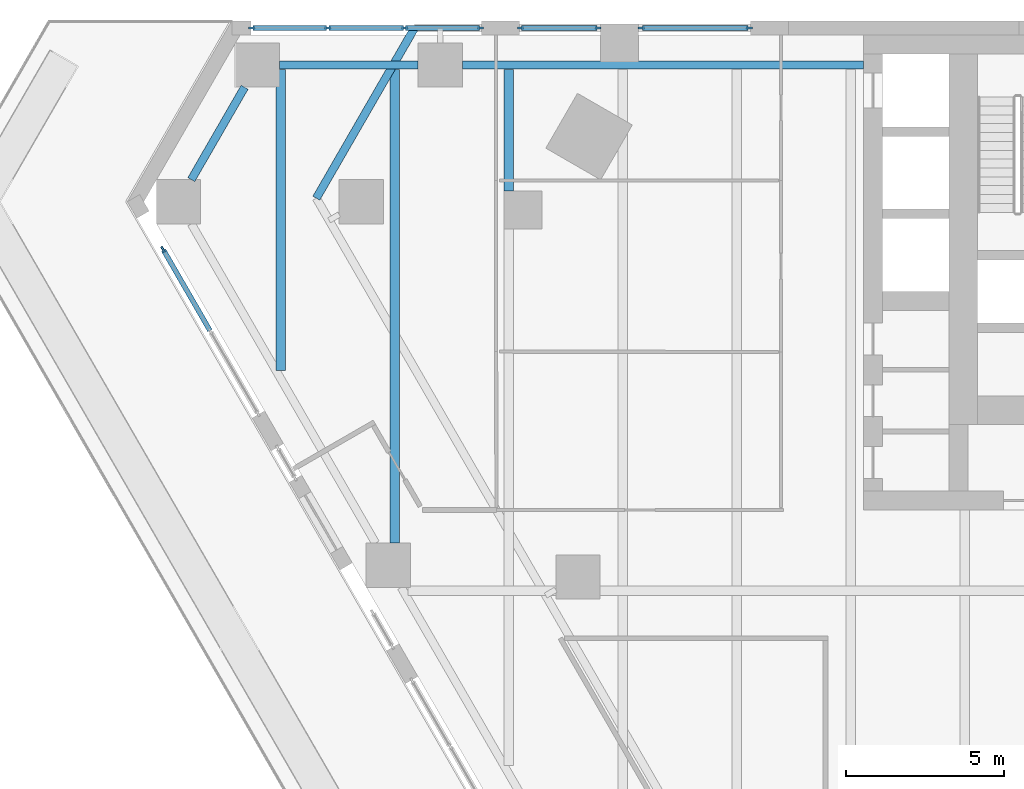
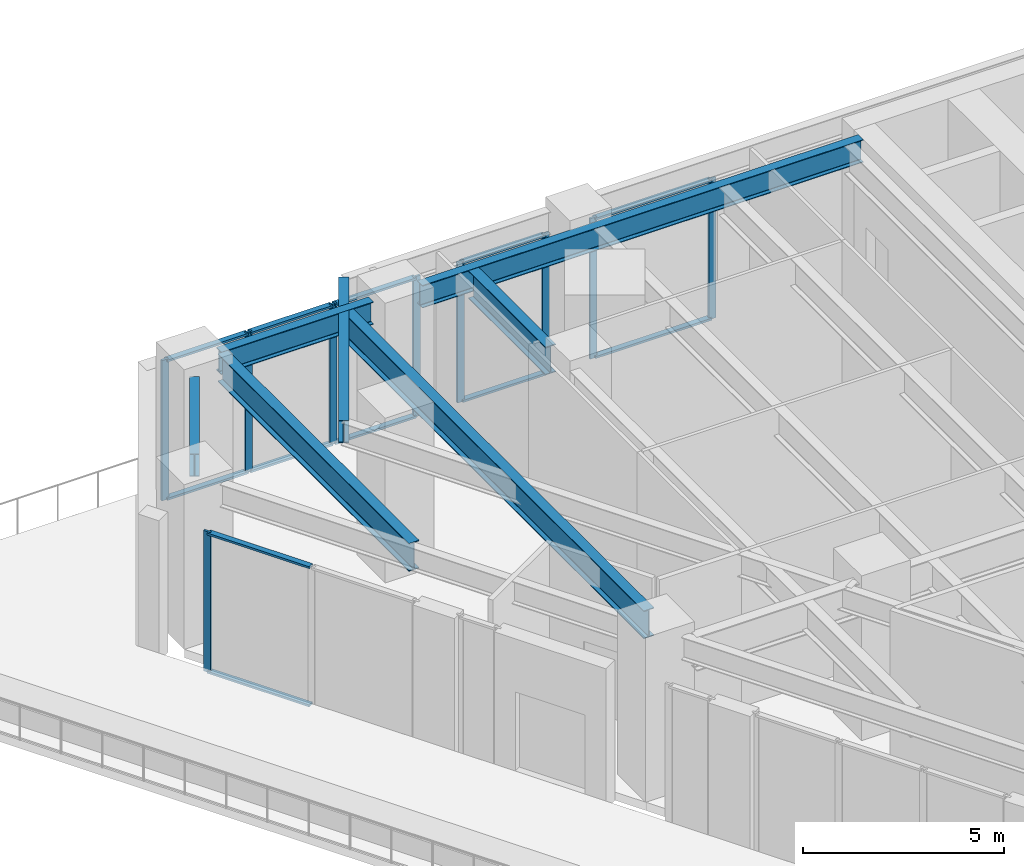
# One storey, part 12 of 31: 21 members, 7 beams, 4 elements without a shape of their own.
"""IFC4 building model written with IfcOpenShell, lengths in metres."""

from ifc_helpers import new_model, si_unit, direction, frame, origin, origin_2d, place, context, subcontext, project, spatial, rectangle, i_section, extrude, material, material_profile, profile_set, type_object, element, aggregate, save


model = new_model("IFC4")

# Units and contexts
model_context = context("Model", 3, precision=1e-05, world=origin(), true_north=direction((0.0, 1.0)))
body_context = subcontext(model_context, "Body", "Model", "MODEL_VIEW")
ifc_project = project(units=[si_unit("LENGTHUNIT", "METRE"), si_unit("AREAUNIT", "SQUARE_METRE"), si_unit("VOLUMEUNIT", "CUBIC_METRE"), si_unit("PLANEANGLEUNIT", "RADIAN"), si_unit("MASSUNIT", "GRAM", prefix="KILO")], contexts=[model_context])

# Site, building, storey
site_placement = place(None, origin())
site = spatial("IfcSite", under=ifc_project, at=site_placement, CompositionType="ELEMENT")
building_placement = place(site_placement, origin())
building = spatial("IfcBuilding", under=site, at=building_placement, Name="Aloe Facet Convention Tower", CompositionType="ELEMENT")
storey_placement = place(building_placement, frame((0.0, 0.0, 25.0)))
storey = spatial("IfcBuildingStorey", under=building, at=storey_placement, Name="L04", CompositionType="ELEMENT", Elevation=25.0)

# Beam
ifc_material_1 = material(Name="Steel S355", Category="steel")
ifc_material_profile_1 = material_profile(ifc_material_1, i_section(OverallWidth=0.25439453125, OverallDepth=0.6875, WebThickness=0.01318359375, FlangeThickness=0.02099609375, FilletRadius=0.01513671875, at=origin_2d()), Name="UB 686x254x152")
ifc_profile_set_1 = profile_set([ifc_material_profile_1], Name="Steel S355")
beam_type_1 = type_object("IfcBeamType", Name="EV-EB-UB686x254x152", PredefinedType="BEAM", material=ifc_profile_set_1)
beam_1_placement = place(storey_placement, frame((51.826416015625, 134.77490234375, 4.356201171875), z_axis=(-0.499986758824, -0.866033048446, 0.0), x_axis=(0.866033048446, -0.499986758824, 0.0)))
element("IfcBeam", 1, at=beam_1_placement, inside=storey, type_object=beam_type_1, Name="EB-L05-A", PredefinedType="BEAM", context=body_context, shape_type="SweptSolid", body=[
    extrude(i_section(OverallWidth=0.25439453125, OverallDepth=0.6875, WebThickness=0.01318359375, FlangeThickness=0.02099609375, FilletRadius=0.01513671875, at=origin_2d()), origin(), (0.0, 0.0, 1.0), 6.210205078125),
])

# Curtain wall, members
ifc_material_2 = material(Name="Aluminium, anodised", Category="aluminium")
curtain_wall_type = type_object("IfcCurtainWallType", Name="EV-CW-HALL", PredefinedType="USERDEFINED", material=ifc_material_2)
curtain_wall_1_placement = place(storey_placement, origin())
curtain_wall_1 = element("IfcCurtainWall", 2, at=curtain_wall_1_placement, inside=storey, type_object=curtain_wall_type, Name="CW-L04-N14-1", ObjectType="UNITISED HALL GLAZING", PredefinedType="USERDEFINED")
ifc_material_3 = material(Name="Aluminium, anodised", Category="aluminium")
ifc_material_profile_2 = material_profile(ifc_material_3, rectangle(XDim=0.06494140625, YDim=0.199951171875, at=origin_2d()), Name="AL 65x200")
ifc_profile_set_2 = profile_set([ifc_material_profile_2], Name="Aluminium, anodised")
member_type_1 = type_object("IfcMemberType", Name="EV-MULL-HALL", PredefinedType="MULLION", material=ifc_profile_set_2)
member_1_placement = place(storey_placement, frame((62.39404296875, 134.77490234375, -0.25), z_axis=(0.0, 0.0, 1.0), x_axis=(0.0, -1.0, 0.0)))
member_1 = element("IfcMember", 3, at=member_1_placement, type_object=member_type_1, Name="CW-L04-N14-1 mullion 1", PredefinedType="MULLION", context=body_context, shape_type="SweptSolid", body=[
    extrude(rectangle(XDim=0.06494140625, YDim=0.199951171875, at=origin_2d()), origin(), (0.0, 0.0, 1.0), 4.262451171875),
])
member_2_placement = place(storey_placement, frame((58.982421875, 134.77490234375, -0.25), z_axis=(0.0, 0.0, 1.0), x_axis=(0.0, -1.0, 0.0)))
member_2 = element("IfcMember", 4, at=member_2_placement, type_object=member_type_1, Name="CW-L04-N14-1 mullion 2", PredefinedType="MULLION", context=body_context, shape_type="SweptSolid", body=[
    extrude(rectangle(XDim=0.06494140625, YDim=0.199951171875, at=origin_2d()), origin(), (0.0, 0.0, 1.0), 4.262451171875),
])

curtain_wall_2_placement = place(storey_placement, origin())
curtain_wall_2 = element("IfcCurtainWall", 5, at=curtain_wall_2_placement, inside=storey, type_object=curtain_wall_type, Name="CW-L04-N14-2", ObjectType="UNITISED HALL GLAZING", PredefinedType="USERDEFINED")
member_3_placement = place(storey_placement, frame((57.617431640625, 134.77490234375, -0.25), z_axis=(0.0, 0.0, 1.0), x_axis=(0.0, -1.0, 0.0)))
member_3 = element("IfcMember", 6, at=member_3_placement, type_object=member_type_1, Name="CW-L04-N14-2 mullion 1", PredefinedType="MULLION", context=body_context, shape_type="SweptSolid", body=[
    extrude(rectangle(XDim=0.06494140625, YDim=0.199951171875, at=origin_2d()), origin(), (0.0, 0.0, 1.0), 4.262451171875),
])
member_4_placement = place(storey_placement, frame((55.17236328125, 134.77490234375, -0.25), z_axis=(0.0, 0.0, 1.0), x_axis=(0.0, -1.0, 0.0)))
member_4 = element("IfcMember", 7, at=member_4_placement, type_object=member_type_1, Name="CW-L04-N14-2 mullion 2", PredefinedType="MULLION", context=body_context, shape_type="SweptSolid", body=[
    extrude(rectangle(XDim=0.06494140625, YDim=0.199951171875, at=origin_2d()), origin(), (0.0, 0.0, 1.0), 4.262451171875),
])

curtain_wall_3_placement = place(storey_placement, origin())
curtain_wall_3 = element("IfcCurtainWall", 8, at=curtain_wall_3_placement, inside=storey, type_object=curtain_wall_type, Name="CW-L04-N16", ObjectType="UNITISED HALL GLAZING", PredefinedType="USERDEFINED")
member_5_placement = place(storey_placement, frame((53.9072265625, 134.77490234375, -0.25), z_axis=(0.0, 0.0, 1.0), x_axis=(0.0, -1.0, 0.0)))
member_5 = element("IfcMember", 9, at=member_5_placement, type_object=member_type_1, Name="CW-L04-N16 mullion 1", PredefinedType="MULLION", context=body_context, shape_type="SweptSolid", body=[
    extrude(rectangle(XDim=0.06494140625, YDim=0.199951171875, at=origin_2d()), origin(), (0.0, 0.0, 1.0), 4.262451171875),
])
member_6_placement = place(storey_placement, frame((51.5107421875, 134.77490234375, -0.25), z_axis=(0.0, 0.0, 1.0), x_axis=(0.0, -1.0, 0.0)))
member_6 = element("IfcMember", 10, at=member_6_placement, type_object=member_type_1, Name="CW-L04-N16 mullion 2", PredefinedType="MULLION", context=body_context, shape_type="SweptSolid", body=[
    extrude(rectangle(XDim=0.06494140625, YDim=0.199951171875, at=origin_2d()), origin(), (0.0, 0.0, 1.0), 4.262451171875),
])
member_7_placement = place(storey_placement, frame((49.08203125, 134.77490234375, -0.25), z_axis=(0.0, 0.0, 1.0), x_axis=(0.0, -1.0, 0.0)))
member_7 = element("IfcMember", 11, at=member_7_placement, type_object=member_type_1, Name="CW-L04-N16 mullion 3", PredefinedType="MULLION", context=body_context, shape_type="SweptSolid", body=[
    extrude(rectangle(XDim=0.06494140625, YDim=0.199951171875, at=origin_2d()), origin(), (0.0, 0.0, 1.0), 4.262451171875),
])
member_8_placement = place(storey_placement, frame((46.685546875, 134.77490234375, -0.25), z_axis=(0.0, 0.0, 1.0), x_axis=(0.0, -1.0, 0.0)))
member_8 = element("IfcMember", 12, at=member_8_placement, type_object=member_type_1, Name="CW-L04-N16 mullion 4", PredefinedType="MULLION", context=body_context, shape_type="SweptSolid", body=[
    extrude(rectangle(XDim=0.06494140625, YDim=0.199951171875, at=origin_2d()), origin(), (0.0, 0.0, 1.0), 4.262451171875),
])

# Curtain wall, member
curtain_wall_4_placement = place(storey_placement, origin())
curtain_wall_4 = element("IfcCurtainWall", 13, at=curtain_wall_4_placement, inside=storey, type_object=curtain_wall_type, Name="CW-L04-W02", ObjectType="UNITISED HALL GLAZING", PredefinedType="USERDEFINED")
member_9_placement = place(storey_placement, frame((43.880615234375, 127.781005859375, -0.25), z_axis=(0.0, 0.0, 1.0), x_axis=(0.866025403758, 0.500000000045, 0.0)))
member_9 = element("IfcMember", 14, at=member_9_placement, type_object=member_type_1, Name="CW-L04-W02 mullion 1", PredefinedType="MULLION", context=body_context, shape_type="SweptSolid", body=[
    extrude(rectangle(XDim=0.06494140625, YDim=0.199951171875, at=origin_2d()), origin(), (0.0, 0.0, 1.0), 4.262451171875),
])

# Member
ifc_material_4 = material(Name="Aluminium, anodised", Category="aluminium")
ifc_material_profile_3 = material_profile(ifc_material_4, rectangle(XDim=0.159912109375, YDim=0.06494140625, at=origin_2d()), Name="AL 160x65")
ifc_profile_set_3 = profile_set([ifc_material_profile_3], Name="Aluminium, anodised")
member_type_2 = type_object("IfcMemberType", Name="EV-TRAN-HALL", PredefinedType="USERDEFINED", material=ifc_profile_set_3)
member_10_placement = place(storey_placement, frame((62.361572265625, 134.77490234375, -0.217529296875), z_axis=(-1.0, 0.0, 0.0), x_axis=(0.0, -1.0, 0.0)))
member_10 = element("IfcMember", 15, at=member_10_placement, type_object=member_type_2, Name="CW-L04-N14-1 transom 1.1", ObjectType="TRANSOM", PredefinedType="USERDEFINED", context=body_context, shape_type="SweptSolid", body=[
    extrude(rectangle(XDim=0.159912109375, YDim=0.06494140625, at=origin_2d()), origin(), (0.0, 0.0, 1.0), 3.3466796875),
])

member_11_placement = place(storey_placement, frame((62.361572265625, 134.77490234375, 3.97998046875), z_axis=(-1.0, 0.0, 0.0), x_axis=(0.0, -1.0, 0.0)))
member_11 = element("IfcMember", 16, at=member_11_placement, type_object=member_type_2, Name="CW-L04-N14-1 transom 1.2", ObjectType="TRANSOM", PredefinedType="USERDEFINED", context=body_context, shape_type="SweptSolid", body=[
    extrude(rectangle(XDim=0.159912109375, YDim=0.06494140625, at=origin_2d()), origin(), (0.0, 0.0, 1.0), 3.3466796875),
])

aggregate(curtain_wall_1, [member_1, member_2, member_10, member_11])

member_12_placement = place(storey_placement, frame((57.5849609375, 134.77490234375, -0.217529296875), z_axis=(-1.0, 0.0, 0.0), x_axis=(0.0, -1.0, 0.0)))
member_12 = element("IfcMember", 17, at=member_12_placement, type_object=member_type_2, Name="CW-L04-N14-2 transom 1.1", ObjectType="TRANSOM", PredefinedType="USERDEFINED", context=body_context, shape_type="SweptSolid", body=[
    extrude(rectangle(XDim=0.159912109375, YDim=0.06494140625, at=origin_2d()), origin(), (0.0, 0.0, 1.0), 2.380126953125),
])

member_13_placement = place(storey_placement, frame((57.5849609375, 134.77490234375, 3.97998046875), z_axis=(-1.0, 0.0, 0.0), x_axis=(0.0, -1.0, 0.0)))
member_13 = element("IfcMember", 18, at=member_13_placement, type_object=member_type_2, Name="CW-L04-N14-2 transom 1.2", ObjectType="TRANSOM", PredefinedType="USERDEFINED", context=body_context, shape_type="SweptSolid", body=[
    extrude(rectangle(XDim=0.159912109375, YDim=0.06494140625, at=origin_2d()), origin(), (0.0, 0.0, 1.0), 2.380126953125),
])

aggregate(curtain_wall_2, [member_3, member_4, member_12, member_13])

member_14_placement = place(storey_placement, frame((53.874755859375, 134.77490234375, -0.217529296875), z_axis=(-1.0, 0.0, 0.0), x_axis=(0.0, -1.0, 0.0)))
member_14 = element("IfcMember", 19, at=member_14_placement, type_object=member_type_2, Name="CW-L04-N16 transom 1.1", ObjectType="TRANSOM", PredefinedType="USERDEFINED", context=body_context, shape_type="SweptSolid", body=[
    extrude(rectangle(XDim=0.159912109375, YDim=0.06494140625, at=origin_2d()), origin(), (0.0, 0.0, 1.0), 2.33154296875),
])

member_15_placement = place(storey_placement, frame((53.874755859375, 134.77490234375, 3.97998046875), z_axis=(-1.0, 0.0, 0.0), x_axis=(0.0, -1.0, 0.0)))
member_15 = element("IfcMember", 20, at=member_15_placement, type_object=member_type_2, Name="CW-L04-N16 transom 1.2", ObjectType="TRANSOM", PredefinedType="USERDEFINED", context=body_context, shape_type="SweptSolid", body=[
    extrude(rectangle(XDim=0.159912109375, YDim=0.06494140625, at=origin_2d()), origin(), (0.0, 0.0, 1.0), 2.33154296875),
])

member_16_placement = place(storey_placement, frame((51.478271484375, 134.77490234375, -0.217529296875), z_axis=(-1.0, 0.0, 0.0), x_axis=(0.0, -1.0, 0.0)))
member_16 = element("IfcMember", 21, at=member_16_placement, type_object=member_type_2, Name="CW-L04-N16 transom 2.1", ObjectType="TRANSOM", PredefinedType="USERDEFINED", context=body_context, shape_type="SweptSolid", body=[
    extrude(rectangle(XDim=0.159912109375, YDim=0.06494140625, at=origin_2d()), origin(), (0.0, 0.0, 1.0), 2.36376953125),
])

member_17_placement = place(storey_placement, frame((51.478271484375, 134.77490234375, 3.97998046875), z_axis=(-1.0, 0.0, 0.0), x_axis=(0.0, -1.0, 0.0)))
member_17 = element("IfcMember", 22, at=member_17_placement, type_object=member_type_2, Name="CW-L04-N16 transom 2.2", ObjectType="TRANSOM", PredefinedType="USERDEFINED", context=body_context, shape_type="SweptSolid", body=[
    extrude(rectangle(XDim=0.159912109375, YDim=0.06494140625, at=origin_2d()), origin(), (0.0, 0.0, 1.0), 2.36376953125),
])

member_18_placement = place(storey_placement, frame((49.04931640625, 134.77490234375, -0.217529296875), z_axis=(-1.0, 0.0, 0.0), x_axis=(0.0, -1.0, 0.0)))
member_18 = element("IfcMember", 23, at=member_18_placement, type_object=member_type_2, Name="CW-L04-N16 transom 3.1", ObjectType="TRANSOM", PredefinedType="USERDEFINED", context=body_context, shape_type="SweptSolid", body=[
    extrude(rectangle(XDim=0.159912109375, YDim=0.06494140625, at=origin_2d()), origin(), (0.0, 0.0, 1.0), 2.331298828125),
])

member_19_placement = place(storey_placement, frame((49.04931640625, 134.77490234375, 3.97998046875), z_axis=(-1.0, 0.0, 0.0), x_axis=(0.0, -1.0, 0.0)))
member_19 = element("IfcMember", 24, at=member_19_placement, type_object=member_type_2, Name="CW-L04-N16 transom 3.2", ObjectType="TRANSOM", PredefinedType="USERDEFINED", context=body_context, shape_type="SweptSolid", body=[
    extrude(rectangle(XDim=0.159912109375, YDim=0.06494140625, at=origin_2d()), origin(), (0.0, 0.0, 1.0), 2.331298828125),
])

aggregate(curtain_wall_3, [member_5, member_6, member_7, member_8, member_14, member_15, member_16, member_17, member_18, member_19])

member_20_placement = place(storey_placement, frame((43.89697265625, 127.7529296875, -0.217529296875), z_axis=(0.49998458238, -0.866034304969, 0.0), x_axis=(0.866034304969, 0.49998458238, 0.0)))
member_20 = element("IfcMember", 25, at=member_20_placement, type_object=member_type_2, Name="CW-L04-W02 transom 1.1", ObjectType="TRANSOM", PredefinedType="USERDEFINED", context=body_context, shape_type="SweptSolid", body=[
    extrude(rectangle(XDim=0.159912109375, YDim=0.06494140625, at=origin_2d()), origin(), (0.0, 0.0, 1.0), 2.92919921875),
])

member_21_placement = place(storey_placement, frame((43.89697265625, 127.7529296875, 3.97998046875), z_axis=(0.49998458238, -0.866034304969, 0.0), x_axis=(0.866034304969, 0.49998458238, 0.0)))
member_21 = element("IfcMember", 26, at=member_21_placement, type_object=member_type_2, Name="CW-L04-W02 transom 1.2", ObjectType="TRANSOM", PredefinedType="USERDEFINED", context=body_context, shape_type="SweptSolid", body=[
    extrude(rectangle(XDim=0.159912109375, YDim=0.06494140625, at=origin_2d()), origin(), (0.0, 0.0, 1.0), 2.92919921875),
])

aggregate(curtain_wall_4, [member_9, member_20, member_21])

# Beams
ifc_material_5 = material(Name="Steel S355", Category="steel")
ifc_material_profile_4 = material_profile(ifc_material_5, i_section(OverallWidth=0.25439453125, OverallDepth=0.6875, WebThickness=0.01318359375, FlangeThickness=0.02099609375, FilletRadius=0.01513671875, at=origin_2d()), Name="UB 686x254x152")
ifc_profile_set_4 = profile_set([ifc_material_profile_4], Name="Steel S355")
beam_type_2 = type_object("IfcBeamType", Name="SF-B-UB686x254x152", PredefinedType="BEAM", material=ifc_profile_set_4)
beam_2_placement = place(storey_placement, frame((44.773681640625, 129.98388671875, 4.356201171875), z_axis=(0.499952599003, 0.866052769034, 0.0), x_axis=(-0.866052769034, 0.499952599003, 0.0)))
element("IfcBeam", 27, at=beam_2_placement, inside=storey, type_object=beam_type_2, Name="Floor beam FB-L05-001", PredefinedType="BEAM", context=body_context, shape_type="SweptSolid", body=[
    extrude(i_section(OverallWidth=0.25439453125, OverallDepth=0.6875, WebThickness=0.01318359375, FlangeThickness=0.02099609375, FilletRadius=0.01513671875, at=origin_2d()), origin(), (0.0, 0.0, 1.0), 3.366943359375),
])
beam_3_placement = place(storey_placement, frame((47.56103515625, 133.60009765625, 4.356201171875), z_axis=(1.0, 0.0, 0.0), x_axis=(0.0, 1.0, 0.0)))
element("IfcBeam", 28, at=beam_3_placement, inside=storey, type_object=beam_type_2, Name="Floor beam FB-L05-002", PredefinedType="BEAM", context=body_context, shape_type="SweptSolid", body=[
    extrude(i_section(OverallWidth=0.25439453125, OverallDepth=0.6875, WebThickness=0.01318359375, FlangeThickness=0.02099609375, FilletRadius=0.01513671875, at=origin_2d()), origin(), (0.0, 0.0, 1.0), 4.3740234375),
])
beam_4_placement = place(storey_placement, frame((53.3349609375, 133.60009765625, 4.356201171875), z_axis=(1.0, 0.0, 0.0), x_axis=(0.0, 1.0, 0.0)))
element("IfcBeam", 29, at=beam_4_placement, inside=storey, type_object=beam_type_2, Name="Floor beam FB-L05-004", PredefinedType="BEAM", context=body_context, shape_type="SweptSolid", body=[
    extrude(i_section(OverallWidth=0.25439453125, OverallDepth=0.6875, WebThickness=0.01318359375, FlangeThickness=0.02099609375, FilletRadius=0.01513671875, at=origin_2d()), origin(), (0.0, 0.0, 1.0), 12.6650390625),
])
ifc_material_6 = material(Name="Steel S355", Category="steel")
ifc_material_profile_5 = material_profile(ifc_material_6, i_section(OverallWidth=0.293701171875, OverallDepth=0.850830078125, WebThickness=0.01611328125, FlangeThickness=0.02685546875, FilletRadius=0.017822265625, at=origin_2d()), Name="UB 838x292x226")
ifc_profile_set_5 = profile_set([ifc_material_profile_5], Name="Steel S355")
beam_type_3 = type_object("IfcBeamType", Name="SF-B-UB838x292x226", PredefinedType="BEAM", material=ifc_profile_set_5)
beam_5_placement = place(storey_placement, frame((47.60009765625, 123.95361328125, 4.2744140625), z_axis=(0.0, 1.0, 0.0), x_axis=(-1.0, 0.0, 0.0)))
element("IfcBeam", 30, at=beam_5_placement, inside=storey, type_object=beam_type_3, Name="Floor beam FB-L05-028", PredefinedType="BEAM", context=body_context, shape_type="SweptSolid", body=[
    extrude(i_section(OverallWidth=0.293701171875, OverallDepth=0.850830078125, WebThickness=0.01611328125, FlangeThickness=0.02685546875, FilletRadius=0.017822265625, at=origin_2d()), origin(), (0.0, 0.0, 1.0), 9.509033203125),
])
beam_6_placement = place(storey_placement, frame((51.199951171875, 118.5048828125, 4.2744140625), z_axis=(0.0, 1.0, 0.0), x_axis=(-1.0, 0.0, 0.0)))
element("IfcBeam", 31, at=beam_6_placement, inside=storey, type_object=beam_type_3, Name="Floor beam FB-L05-029", PredefinedType="BEAM", context=body_context, shape_type="SweptSolid", body=[
    extrude(i_section(OverallWidth=0.293701171875, OverallDepth=0.850830078125, WebThickness=0.01611328125, FlangeThickness=0.02685546875, FilletRadius=0.017822265625, at=origin_2d()), origin(), (0.0, 0.0, 1.0), 14.957763671875),
])
beam_7_placement = place(storey_placement, frame((54.800048828125, 129.6279296875, 4.2744140625), z_axis=(0.0, 1.0, 0.0), x_axis=(-1.0, 0.0, 0.0)))
element("IfcBeam", 32, at=beam_7_placement, inside=storey, type_object=beam_type_3, Name="Floor beam FB-L05-032", PredefinedType="BEAM", context=body_context, shape_type="SweptSolid", body=[
    extrude(i_section(OverallWidth=0.293701171875, OverallDepth=0.850830078125, WebThickness=0.01611328125, FlangeThickness=0.02685546875, FilletRadius=0.017822265625, at=origin_2d()), origin(), (0.0, 0.0, 1.0), 3.834716796875),
])

save(model, "model.ifc")
